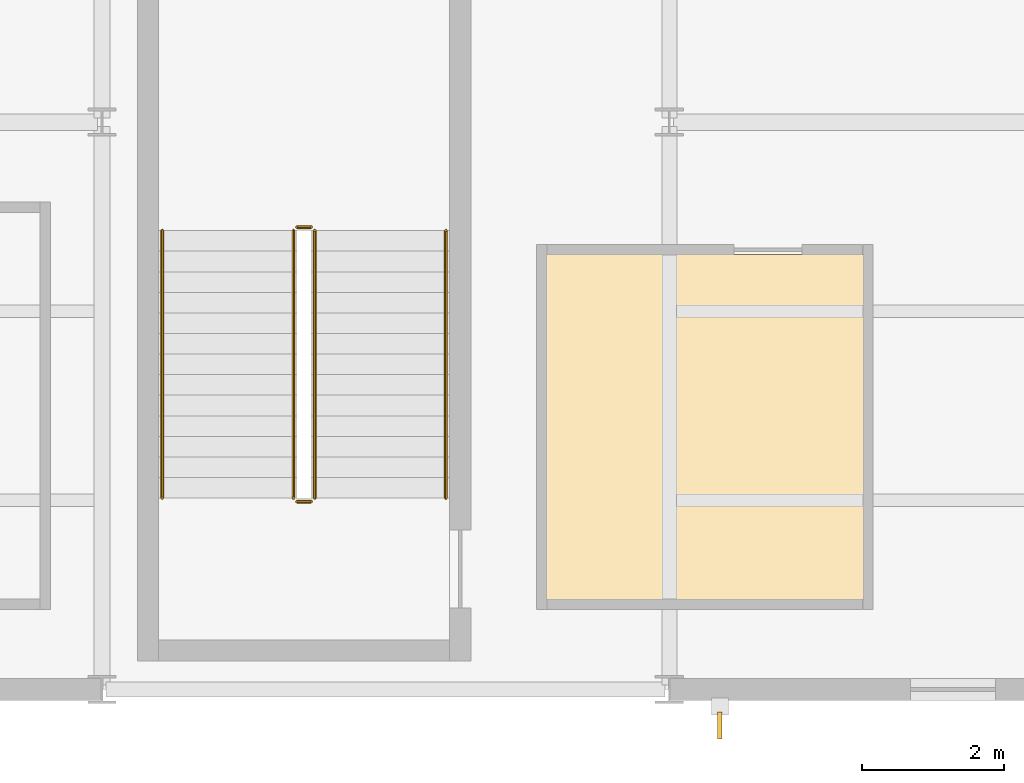
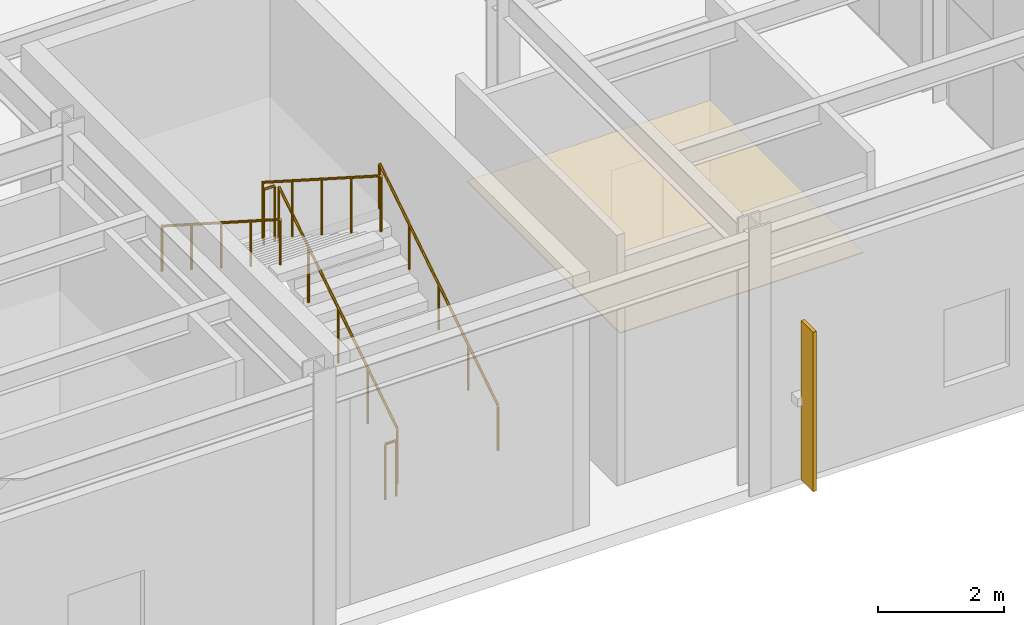
# One storey, part 69 of 77: 6 railings, 1 covering, 1 shading device.
"""IFC4 building model written with IfcOpenShell, lengths in metres."""

import ifcopenshell
import ifcopenshell.guid

model = None  # the IFC model being written
_history = None  # IfcOwnerHistory: only IFC2X3 demands one
_inside = {}  # id of a spatial element -> (the spatial element, [elements in it])
_under = {}  # id of a project, library or spatial element -> (it, [spatial elements below it])
_declared = {}  # id of a project -> (the project, [libraries it declares])
_typed = {}  # id of a type object -> (the type object, [elements of that type])
_made_of = {}  # id of a material, layer set ... -> (it, [elements and type objects made of it])


def new_model(schema):
    """Start an empty IFC model of exactly this schema.

    Asked for "IFC4X3", IfcOpenShell would pick the latest addendum, in which some entities
    have other attributes; the version numbers below select the first issue.
    IFC2X3 requires an IfcOwnerHistory on every rooted entity: one is made here for all.
    """
    global model, _history
    if schema == "IFC4X3":
        model = ifcopenshell.file(schema_version=(4, 3, 0, 0))
    else:
        model = ifcopenshell.file(schema=schema)
    _inside.clear()
    _under.clear()
    _declared.clear()
    _typed.clear()
    _made_of.clear()
    _history = None
    if model.schema == "IFC2X3":
        org = make("IfcOrganization", Name="unknown")
        user = make(
            "IfcPersonAndOrganization",
            ThePerson=make("IfcPerson", FamilyName="unknown"),
            TheOrganization=org,
        )
        app = make(
            "IfcApplication",
            ApplicationDeveloper=org,
            Version="unknown",
            ApplicationFullName="unknown",
            ApplicationIdentifier="unknown",
        )
        _history = make(
            "IfcOwnerHistory",
            OwningUser=user,
            OwningApplication=app,
            ChangeAction="ADDED",
            CreationDate=0,
        )
    return model


def make(cls, **values):
    """One entity of the class cls with the attributes given. An attribute that is None is left unset."""
    return model.create_entity(
        cls, **{name: value for name, value in values.items() if value is not None}
    )


def rooted(cls, **values):
    """An entity with a GlobalId (a new one), such as an element, a storey or a relation."""
    return make(cls, GlobalId=ifcopenshell.guid.new(), OwnerHistory=_history, **values)


def si_unit(unit_type, name, prefix=None):
    """IfcSIUnit, for example si_unit("LENGTHUNIT", "METRE", prefix="MILLI")."""
    return make("IfcSIUnit", UnitType=unit_type, Prefix=prefix, Name=name)


def assignment(units):
    """IfcUnitAssignment: the units of a project."""
    return None if units is None else make("IfcUnitAssignment", Units=units)


def point(xyz):
    """IfcCartesianPoint."""
    return None if xyz is None else make("IfcCartesianPoint", Coordinates=xyz)


def direction(xyz):
    """IfcDirection."""
    return None if xyz is None else make("IfcDirection", DirectionRatios=xyz)


def frame(location, z_axis=None, x_axis=None):
    """IfcAxis2Placement3D, a coordinate frame: its origin and axes. An axis left out is left unset."""
    return make(
        "IfcAxis2Placement3D",
        Location=point(location),
        Axis=direction(z_axis),
        RefDirection=direction(x_axis),
    )


def frame_2d(location, x_axis=None):
    """IfcAxis2Placement2D, a coordinate frame in the plane: its origin and x axis."""
    return make(
        "IfcAxis2Placement2D", Location=point(location), RefDirection=direction(x_axis)
    )


def origin():
    """The frame at (0, 0, 0) with its axes left unset."""
    return frame((0.0, 0.0, 0.0))


def origin_2d():
    """The frame at (0, 0) in the plane with its x axis left unset."""
    return frame_2d((0.0, 0.0))


def place(relative_to, where):
    """IfcLocalPlacement: puts the frame where relative to a parent placement (None: the world)."""
    return make(
        "IfcLocalPlacement", PlacementRelTo=relative_to, RelativePlacement=where
    )


def context(
    kind, dimensions, precision=None, world=None, true_north=None, identifier=None
):
    """IfcGeometricRepresentationContext, for example the 3D "Model" context."""
    return make(
        "IfcGeometricRepresentationContext",
        ContextIdentifier=identifier,
        ContextType=kind,
        CoordinateSpaceDimension=dimensions,
        Precision=precision,
        WorldCoordinateSystem=world,
        TrueNorth=true_north,
    )


def subcontext(parent, identifier, kind, view, scale=None):
    """IfcGeometricRepresentationSubContext, for example "Body" below "Model"."""
    return make(
        "IfcGeometricRepresentationSubContext",
        ContextIdentifier=identifier,
        ContextType=kind,
        ParentContext=parent,
        TargetScale=scale,
        TargetView=view,
    )


def project(units=None, contexts=None):
    """IfcProject with its units and contexts."""
    return rooted(
        "IfcProject",
        Name="project",
        RepresentationContexts=contexts,
        UnitsInContext=assignment(units),
    )


def spatial(cls, under=None, at=None, **own):
    """A site, building, storey or space (cls), placed at a placement, below another one or the project."""
    s = rooted(cls, ObjectPlacement=at, **own)
    if under is not None:
        _under.setdefault(under.id(), (under, []))[1].append(s)
    return s


def polyline(points):
    """IfcPolyline through the points."""
    return make("IfcPolyline", Points=[point(p) for p in points])


def profile(cls, at=None, kind="AREA", **sizes):
    """A parametric profile (cls). Its sizes go by their IFC names, for example OverallWidth=200.0."""
    return make(cls, ProfileType=kind, Position=at, **sizes)


def rectangle(**sizes):
    """IfcRectangleProfileDef."""
    return profile("IfcRectangleProfileDef", **sizes)


def circle(**sizes):
    """IfcCircleProfileDef."""
    return profile("IfcCircleProfileDef", **sizes)


def outline(outer, holes=None, kind="AREA"):
    """IfcArbitraryClosedProfileDef: a profile drawn as a closed curve; with holes, ...WithVoids."""
    if holes is None:
        return make("IfcArbitraryClosedProfileDef", ProfileType=kind, OuterCurve=outer)
    return make(
        "IfcArbitraryProfileDefWithVoids",
        ProfileType=kind,
        OuterCurve=outer,
        InnerCurves=holes,
    )


def extrude(swept, where, along, depth):
    """IfcExtrudedAreaSolid: the profile swept, set in the frame where, extruded along a direction by depth."""
    return make(
        "IfcExtrudedAreaSolid",
        SweptArea=swept,
        Position=where,
        ExtrudedDirection=direction(along),
        Depth=depth,
    )


def shape(context_of_items, identifier, shape_type, items):
    """IfcShapeRepresentation: the items that make up one representation, for example the "Body"."""
    return make(
        "IfcShapeRepresentation",
        ContextOfItems=context_of_items,
        RepresentationIdentifier=identifier,
        RepresentationType=shape_type,
        Items=items,
    )


def material(Name=None, Category=None):
    """IfcMaterial."""
    return make("IfcMaterial", Name=Name, Category=Category)


def layer(
    of_material, thickness, ventilated=None, Name=None, Category=None, Priority=None
):
    """IfcMaterialLayer: one layer of a wall or slab, of a material (None: an air gap)."""
    return make(
        "IfcMaterialLayer",
        Material=of_material,
        LayerThickness=thickness,
        IsVentilated=ventilated,
        Name=Name,
        Category=Category,
        Priority=Priority,
    )


def layer_set(layers, Name=None):
    """IfcMaterialLayerSet."""
    return make("IfcMaterialLayerSet", MaterialLayers=layers, LayerSetName=Name)


def made_of(thing, what):
    """Note that an element or type object is made of a material, layer set ...; save() writes the relation."""
    if what is not None:
        _made_of.setdefault(what.id(), (what, []))[1].append(thing)
    return thing


def type_object(cls, material=None, **own):
    """A type object (cls), such as IfcWallType, which elements share."""
    return made_of(rooted(cls, **own), material)


def element(
    cls,
    number,
    at=None,
    inside=None,
    cuts=None,
    type_object=None,
    material=None,
    context=None,
    identifier="Body",
    shape_type=None,
    held_by="IfcProductDefinitionShape",
    body=None,
    shapes=None,
    **own,
):
    """One element of the class cls, such as IfcWall. Its Tag is "e" and its number.

    at: its placement. inside: the storey or other place that contains it. cuts: it is an
    opening in that element (IfcRelVoidsElement). A single representation is given by context,
    identifier, shape_type and body (its items); several are given by shapes. held_by: the class
    of the entity that holds the representations. save() writes the other relations.
    """
    e = rooted(cls, Tag="e%d" % number, ObjectPlacement=at, **own)
    if body is not None:
        shapes = [shape(context, identifier, shape_type, body)]
    if shapes is not None:
        e.Representation = make(held_by, Representations=shapes)
    if inside is not None:
        _inside.setdefault(inside.id(), (inside, []))[1].append(e)
    if cuts is not None:
        rooted(
            "IfcRelVoidsElement", RelatingBuildingElement=cuts, RelatedOpeningElement=e
        )
    if type_object is not None:
        _typed.setdefault(type_object.id(), (type_object, []))[1].append(e)
    return made_of(e, material)


def aggregate(whole, parts):
    """IfcRelAggregates: a whole, such as a stair, and the parts it consists of."""
    return rooted("IfcRelAggregates", RelatingObject=whole, RelatedObjects=parts)


def save(model, path):
    """Write the relations noted so far, then the file.

    IfcRelAggregates (storeys below a building ...), IfcRelContainedInSpatialStructure (elements
    in a storey), IfcRelDefinesByType, IfcRelAssociatesMaterial and IfcRelDeclares: one each for
    every whole, place, type object, material and project.
    """
    for whole, parts in _under.values():
        aggregate(whole, parts)
    for where, things in _inside.values():
        rooted(
            "IfcRelContainedInSpatialStructure",
            RelatedElements=things,
            RelatingStructure=where,
        )
    for kind, things in _typed.values():
        rooted("IfcRelDefinesByType", RelatedObjects=things, RelatingType=kind)
    for what, things in _made_of.values():
        rooted("IfcRelAssociatesMaterial", RelatedObjects=things, RelatingMaterial=what)
    for by, libraries in _declared.values():
        rooted("IfcRelDeclares", RelatingContext=by, RelatedDefinitions=libraries)
    model.write(path)


model = new_model("IFC4")

# Units and contexts
model_context = context("Model", 3, precision=1e-05, world=origin(), true_north=direction((0.0, 1.0)))
body_context = subcontext(model_context, "Body", "Model", "MODEL_VIEW")
ifc_project = project(units=[si_unit("LENGTHUNIT", "METRE"), si_unit("AREAUNIT", "SQUARE_METRE"), si_unit("VOLUMEUNIT", "CUBIC_METRE"), si_unit("PLANEANGLEUNIT", "RADIAN"), si_unit("MASSUNIT", "GRAM", prefix="KILO")], contexts=[model_context])

# Site, building, storey
site_placement = place(None, origin())
site = spatial("IfcSite", under=ifc_project, at=site_placement, CompositionType="ELEMENT")
building_placement = place(site_placement, origin())
building = spatial("IfcBuilding", under=site, at=building_placement, Name="Drelvath Fold Interchange", CompositionType="ELEMENT")
storey_placement = place(building_placement, frame((0.0, 0.0, 6.0)))
storey = spatial("IfcBuildingStorey", under=building, at=storey_placement, Name="L01", CompositionType="ELEMENT", Elevation=6.0)

# Covering
ifc_material_1 = material(Name="Perforated Aluminium Acoustic Ceiling", Category="aluminium")
ifc_layer = layer(ifc_material_1, 0.01806640625, Name="Perforated Aluminium Acoustic Ceiling")
ifc_layer_set = layer_set([ifc_layer], Name="Perforated Aluminium Acoustic Ceiling")
covering_type = type_object("IfcCoveringType", Name="CV-CEIL-AL18", PredefinedType="CEILING", material=ifc_layer_set)
covering_placement = place(storey_placement, frame((0.0, 0.0, 2.830078125)))
element("IfcCovering", 1, at=covering_placement, inside=storey, type_object=covering_type, Name="Gallery Accessible WC acoustic ceiling", PredefinedType="CEILING", context=body_context, shape_type="SweptSolid", body=[
    extrude(outline(polyline([(42.262939453125, 4.262939453125), (46.737060546875, 4.262939453125), (46.737060546875, 9.136962890625), (42.262939453125, 9.136962890625), (42.262939453125, 4.262939453125)])), origin(), (0.0, 0.0, 1.0), 0.02001953125),
])

# Railings
ifc_material_2 = material(Name="Stainless Steel 316L", Category="steel")
railing_type_1 = type_object("IfcRailingType", Name="RL-GRD1100", PredefinedType="GUARDRAIL", material=ifc_material_2)
railing_1_placement = place(storey_placement, frame((39.0, 5.699951171875, 0.185791015625)))
element("IfcRailing", 2, at=railing_1_placement, inside=storey, type_object=railing_type_1, Name="L01 ST-04 stair guard 1", PredefinedType="GUARDRAIL", context=body_context, shape_type="SweptSolid", body=[
    extrude(circle(Radius=0.02392578125, at=origin_2d()), frame((0.0, 0.0, 1.076171875), z_axis=(0.0, 0.84211983486, 0.539290444692), x_axis=(-1.0, 0.0, 0.0)), (0.0, 0.0, 1.0), 4.476806640625),
    extrude(circle(Radius=0.02099609375, at=origin_2d()), origin(), (0.0, 0.0, 1.0), 1.052001953125),
    extrude(circle(Radius=0.02099609375, at=origin_2d()), frame((0.0, 0.9423828125, 0.603515625)), (0.0, 0.0, 1.0), 1.052001953125),
    extrude(circle(Radius=0.02099609375, at=origin_2d()), frame((0.0, 1.885009765625, 1.20703125)), (0.0, 0.0, 1.0), 1.052001953125),
    extrude(circle(Radius=0.02099609375, at=origin_2d()), frame((0.0, 2.82763671875, 1.810791015625)), (0.0, 0.0, 1.0), 1.052001953125),
    extrude(circle(Radius=0.02099609375, at=origin_2d()), frame((0.0, 3.77001953125, 2.414306640625)), (0.0, 0.0, 1.0), 1.052001953125),
])
railing_2_placement = place(storey_placement, frame((38.949951171875, 9.52001953125, 2.60009765625)))
element("IfcRailing", 3, at=railing_2_placement, inside=storey, type_object=railing_type_1, Name="L01 ST-04 stair guard 2", PredefinedType="GUARDRAIL", context=body_context, shape_type="SweptSolid", body=[
    extrude(circle(Radius=0.02392578125, at=origin_2d()), frame((0.0, 0.0, 1.076171875), z_axis=(-1.0, 0.0, 0.0), x_axis=(0.0, -1.0, 0.0)), (0.0, 0.0, 1.0), 0.199951171875),
    extrude(circle(Radius=0.02099609375, at=origin_2d()), origin(), (0.0, 0.0, 1.0), 1.052001953125),
    extrude(circle(Radius=0.02099609375, at=origin_2d()), frame((-0.199951171875, 0.0, 0.0)), (0.0, 0.0, 1.0), 1.052001953125),
])
railing_3_placement = place(storey_placement, frame((38.699951171875, 9.469970703125, 2.78564453125)))
element("IfcRailing", 4, at=railing_3_placement, inside=storey, type_object=railing_type_1, Name="L01 ST-04 stair guard 3", PredefinedType="GUARDRAIL", context=body_context, shape_type="SweptSolid", body=[
    extrude(circle(Radius=0.02392578125, at=origin_2d()), frame((0.0, 0.0, 1.076171875), z_axis=(0.0, -0.84211983486, 0.539290444692), x_axis=(1.0, 0.0, 0.0)), (0.0, 0.0, 1.0), 4.476806640625),
    extrude(circle(Radius=0.02099609375, at=origin_2d()), origin(), (0.0, 0.0, 1.0), 1.052001953125),
    extrude(circle(Radius=0.02099609375, at=origin_2d()), frame((0.0, -0.9423828125, 0.603515625)), (0.0, 0.0, 1.0), 1.052001953125),
    extrude(circle(Radius=0.02099609375, at=origin_2d()), frame((0.0, -1.885009765625, 1.20703125)), (0.0, 0.0, 1.0), 1.052001953125),
    extrude(circle(Radius=0.02099609375, at=origin_2d()), frame((0.0, -2.82763671875, 1.810791015625)), (0.0, 0.0, 1.0), 1.052001953125),
    extrude(circle(Radius=0.02099609375, at=origin_2d()), frame((0.0, -3.77001953125, 2.414306640625)), (0.0, 0.0, 1.0), 1.052001953125),
])
railing_4_placement = place(storey_placement, frame((38.949951171875, 5.64990234375, 0.0)))
element("IfcRailing", 5, at=railing_4_placement, inside=storey, type_object=railing_type_1, Name="L01 ST-04 stair guard 4", PredefinedType="GUARDRAIL", context=body_context, shape_type="SweptSolid", body=[
    extrude(circle(Radius=0.02392578125, at=origin_2d()), frame((0.0, 0.0, 1.076171875), z_axis=(-1.0, 0.0, 0.0), x_axis=(0.0, -1.0, 0.0)), (0.0, 0.0, 1.0), 0.199951171875),
    extrude(circle(Radius=0.02099609375, at=origin_2d()), origin(), (0.0, 0.0, 1.0), 1.052001953125),
    extrude(circle(Radius=0.02099609375, at=origin_2d()), frame((-0.199951171875, 0.0, 0.0)), (0.0, 0.0, 1.0), 1.052001953125),
])
railing_type_2 = type_object("IfcRailingType", Name="RL-HND920", PredefinedType="HANDRAIL", material=ifc_material_2)
railing_5_placement = place(storey_placement, frame((40.85009765625, 5.699951171875, 0.185791015625)))
element("IfcRailing", 6, at=railing_5_placement, inside=storey, type_object=railing_type_2, Name="L01 ST-04 stair handrail 1", PredefinedType="HANDRAIL", context=body_context, shape_type="SweptSolid", body=[
    extrude(circle(Radius=0.02392578125, at=origin_2d()), frame((0.0, 0.0, 0.8759765625), z_axis=(0.0, 0.84211983486, 0.539290444692), x_axis=(-1.0, 0.0, 0.0)), (0.0, 0.0, 1.0), 4.476806640625),
    extrude(circle(Radius=0.02099609375, at=origin_2d()), origin(), (0.0, 0.0, 1.0), 0.851806640625),
    extrude(circle(Radius=0.02099609375, at=origin_2d()), frame((0.0, 0.9423828125, 0.603515625)), (0.0, 0.0, 1.0), 0.851806640625),
    extrude(circle(Radius=0.02099609375, at=origin_2d()), frame((0.0, 1.885009765625, 1.20703125)), (0.0, 0.0, 1.0), 0.851806640625),
    extrude(circle(Radius=0.02099609375, at=origin_2d()), frame((0.0, 2.82763671875, 1.810791015625)), (0.0, 0.0, 1.0), 0.851806640625),
    extrude(circle(Radius=0.02099609375, at=origin_2d()), frame((0.0, 3.77001953125, 2.414306640625)), (0.0, 0.0, 1.0), 0.851806640625),
])
railing_6_placement = place(storey_placement, frame((36.85009765625, 9.469970703125, 2.78564453125)))
element("IfcRailing", 7, at=railing_6_placement, inside=storey, type_object=railing_type_2, Name="L01 ST-04 stair handrail 2", PredefinedType="HANDRAIL", context=body_context, shape_type="SweptSolid", body=[
    extrude(circle(Radius=0.02392578125, at=origin_2d()), frame((0.0, 0.0, 0.8759765625), z_axis=(0.0, -0.84211983486, 0.539290444692), x_axis=(1.0, 0.0, 0.0)), (0.0, 0.0, 1.0), 4.476806640625),
    extrude(circle(Radius=0.02099609375, at=origin_2d()), origin(), (0.0, 0.0, 1.0), 0.851806640625),
    extrude(circle(Radius=0.02099609375, at=origin_2d()), frame((0.0, -0.9423828125, 0.603515625)), (0.0, 0.0, 1.0), 0.851806640625),
    extrude(circle(Radius=0.02099609375, at=origin_2d()), frame((0.0, -1.885009765625, 1.20703125)), (0.0, 0.0, 1.0), 0.851806640625),
    extrude(circle(Radius=0.02099609375, at=origin_2d()), frame((0.0, -2.82763671875, 1.810791015625)), (0.0, 0.0, 1.0), 0.851806640625),
    extrude(circle(Radius=0.02099609375, at=origin_2d()), frame((0.0, -3.77001953125, 2.414306640625)), (0.0, 0.0, 1.0), 0.851806640625),
])

# Shading device
ifc_material_3 = material(Name="Anodized Aluminium 6063-T6", Category="aluminium")
shading_device_type = type_object("IfcShadingDeviceType", Name="SD-FIN380", PredefinedType="JALOUSIE", material=ifc_material_3)
shading_device_placement = place(storey_placement, frame((44.712890625, 2.492919921875, 0.099853515625), z_axis=(0.0, 0.0, 1.0), x_axis=(0.0, 1.0, 0.0)))
element("IfcShadingDevice", 8, at=shading_device_placement, inside=storey, type_object=shading_device_type, Name="Vertical aluminium solar fin 24", PredefinedType="JALOUSIE", context=body_context, shape_type="SweptSolid", body=[
    extrude(rectangle(XDim=0.3798828125, YDim=0.06494140625, at=origin_2d()), origin(), (0.0, 0.0, 1.0), 3.10009765625),
])

save(model, "model.ifc")
